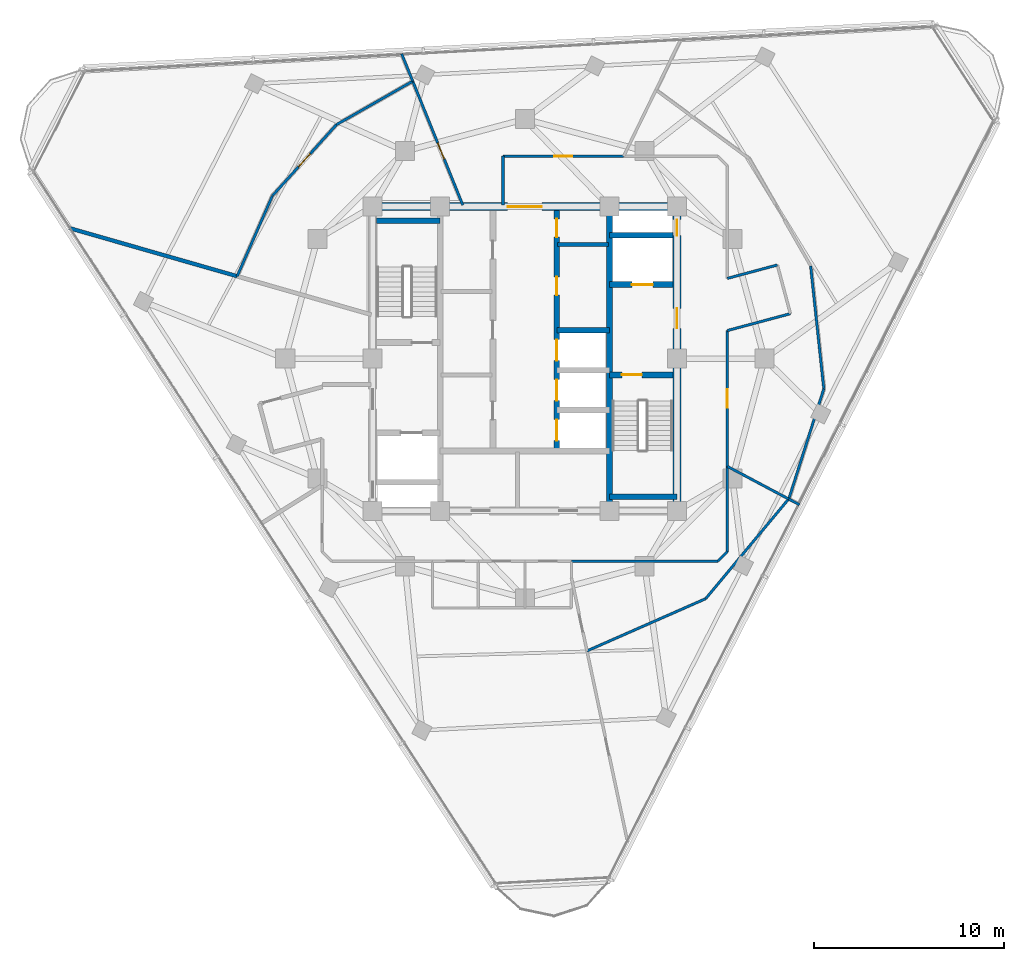
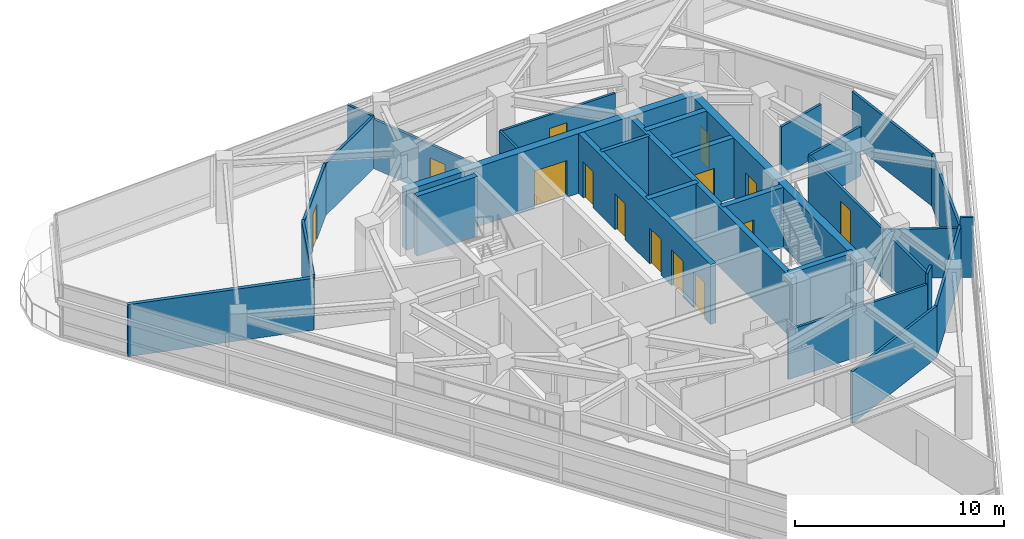
# One storey, part 9 of 15: 31 walls, 14 doors, 14 openings.
"""IFC4 building model written with IfcOpenShell, lengths in metres."""

import ifcopenshell
import ifcopenshell.guid

model = None  # the IFC model being written
_history = None  # IfcOwnerHistory: only IFC2X3 demands one
_inside = {}  # id of a spatial element -> (the spatial element, [elements in it])
_under = {}  # id of a project, library or spatial element -> (it, [spatial elements below it])
_declared = {}  # id of a project -> (the project, [libraries it declares])
_typed = {}  # id of a type object -> (the type object, [elements of that type])
_made_of = {}  # id of a material, layer set ... -> (it, [elements and type objects made of it])


def new_model(schema):
    """Start an empty IFC model of exactly this schema.

    Asked for "IFC4X3", IfcOpenShell would pick the latest addendum, in which some entities
    have other attributes; the version numbers below select the first issue.
    IFC2X3 requires an IfcOwnerHistory on every rooted entity: one is made here for all.
    """
    global model, _history
    if schema == "IFC4X3":
        model = ifcopenshell.file(schema_version=(4, 3, 0, 0))
    else:
        model = ifcopenshell.file(schema=schema)
    _inside.clear()
    _under.clear()
    _declared.clear()
    _typed.clear()
    _made_of.clear()
    _history = None
    if model.schema == "IFC2X3":
        org = make("IfcOrganization", Name="unknown")
        user = make(
            "IfcPersonAndOrganization",
            ThePerson=make("IfcPerson", FamilyName="unknown"),
            TheOrganization=org,
        )
        app = make(
            "IfcApplication",
            ApplicationDeveloper=org,
            Version="unknown",
            ApplicationFullName="unknown",
            ApplicationIdentifier="unknown",
        )
        _history = make(
            "IfcOwnerHistory",
            OwningUser=user,
            OwningApplication=app,
            ChangeAction="ADDED",
            CreationDate=0,
        )
    return model


def make(cls, **values):
    """One entity of the class cls with the attributes given. An attribute that is None is left unset."""
    return model.create_entity(
        cls, **{name: value for name, value in values.items() if value is not None}
    )


def rooted(cls, **values):
    """An entity with a GlobalId (a new one), such as an element, a storey or a relation."""
    return make(cls, GlobalId=ifcopenshell.guid.new(), OwnerHistory=_history, **values)


def si_unit(unit_type, name, prefix=None):
    """IfcSIUnit, for example si_unit("LENGTHUNIT", "METRE", prefix="MILLI")."""
    return make("IfcSIUnit", UnitType=unit_type, Prefix=prefix, Name=name)


def assignment(units):
    """IfcUnitAssignment: the units of a project."""
    return None if units is None else make("IfcUnitAssignment", Units=units)


def point(xyz):
    """IfcCartesianPoint."""
    return None if xyz is None else make("IfcCartesianPoint", Coordinates=xyz)


def direction(xyz):
    """IfcDirection."""
    return None if xyz is None else make("IfcDirection", DirectionRatios=xyz)


def frame(location, z_axis=None, x_axis=None):
    """IfcAxis2Placement3D, a coordinate frame: its origin and axes. An axis left out is left unset."""
    return make(
        "IfcAxis2Placement3D",
        Location=point(location),
        Axis=direction(z_axis),
        RefDirection=direction(x_axis),
    )


def frame_2d(location, x_axis=None):
    """IfcAxis2Placement2D, a coordinate frame in the plane: its origin and x axis."""
    return make(
        "IfcAxis2Placement2D", Location=point(location), RefDirection=direction(x_axis)
    )


def origin():
    """The frame at (0, 0, 0) with its axes left unset."""
    return frame((0.0, 0.0, 0.0))


def place(relative_to, where):
    """IfcLocalPlacement: puts the frame where relative to a parent placement (None: the world)."""
    return make(
        "IfcLocalPlacement", PlacementRelTo=relative_to, RelativePlacement=where
    )


def context(
    kind, dimensions, precision=None, world=None, true_north=None, identifier=None
):
    """IfcGeometricRepresentationContext, for example the 3D "Model" context."""
    return make(
        "IfcGeometricRepresentationContext",
        ContextIdentifier=identifier,
        ContextType=kind,
        CoordinateSpaceDimension=dimensions,
        Precision=precision,
        WorldCoordinateSystem=world,
        TrueNorth=true_north,
    )


def subcontext(parent, identifier, kind, view, scale=None):
    """IfcGeometricRepresentationSubContext, for example "Body" below "Model"."""
    return make(
        "IfcGeometricRepresentationSubContext",
        ContextIdentifier=identifier,
        ContextType=kind,
        ParentContext=parent,
        TargetScale=scale,
        TargetView=view,
    )


def project(units=None, contexts=None):
    """IfcProject with its units and contexts."""
    return rooted(
        "IfcProject",
        Name="project",
        RepresentationContexts=contexts,
        UnitsInContext=assignment(units),
    )


def spatial(cls, under=None, at=None, **own):
    """A site, building, storey or space (cls), placed at a placement, below another one or the project."""
    s = rooted(cls, ObjectPlacement=at, **own)
    if under is not None:
        _under.setdefault(under.id(), (under, []))[1].append(s)
    return s


def profile(cls, at=None, kind="AREA", **sizes):
    """A parametric profile (cls). Its sizes go by their IFC names, for example OverallWidth=200.0."""
    return make(cls, ProfileType=kind, Position=at, **sizes)


def rectangle(**sizes):
    """IfcRectangleProfileDef."""
    return profile("IfcRectangleProfileDef", **sizes)


def extrude(swept, where, along, depth):
    """IfcExtrudedAreaSolid: the profile swept, set in the frame where, extruded along a direction by depth."""
    return make(
        "IfcExtrudedAreaSolid",
        SweptArea=swept,
        Position=where,
        ExtrudedDirection=direction(along),
        Depth=depth,
    )


def shape(context_of_items, identifier, shape_type, items):
    """IfcShapeRepresentation: the items that make up one representation, for example the "Body"."""
    return make(
        "IfcShapeRepresentation",
        ContextOfItems=context_of_items,
        RepresentationIdentifier=identifier,
        RepresentationType=shape_type,
        Items=items,
    )


def material(Name=None, Category=None):
    """IfcMaterial."""
    return make("IfcMaterial", Name=Name, Category=Category)


def layer(
    of_material, thickness, ventilated=None, Name=None, Category=None, Priority=None
):
    """IfcMaterialLayer: one layer of a wall or slab, of a material (None: an air gap)."""
    return make(
        "IfcMaterialLayer",
        Material=of_material,
        LayerThickness=thickness,
        IsVentilated=ventilated,
        Name=Name,
        Category=Category,
        Priority=Priority,
    )


def layer_set(layers, Name=None):
    """IfcMaterialLayerSet."""
    return make("IfcMaterialLayerSet", MaterialLayers=layers, LayerSetName=Name)


def made_of(thing, what):
    """Note that an element or type object is made of a material, layer set ...; save() writes the relation."""
    if what is not None:
        _made_of.setdefault(what.id(), (what, []))[1].append(thing)
    return thing


def type_object(cls, material=None, **own):
    """A type object (cls), such as IfcWallType, which elements share."""
    return made_of(rooted(cls, **own), material)


def element(
    cls,
    number,
    at=None,
    inside=None,
    cuts=None,
    type_object=None,
    material=None,
    context=None,
    identifier="Body",
    shape_type=None,
    held_by="IfcProductDefinitionShape",
    body=None,
    shapes=None,
    **own,
):
    """One element of the class cls, such as IfcWall. Its Tag is "e" and its number.

    at: its placement. inside: the storey or other place that contains it. cuts: it is an
    opening in that element (IfcRelVoidsElement). A single representation is given by context,
    identifier, shape_type and body (its items); several are given by shapes. held_by: the class
    of the entity that holds the representations. save() writes the other relations.
    """
    e = rooted(cls, Tag="e%d" % number, ObjectPlacement=at, **own)
    if body is not None:
        shapes = [shape(context, identifier, shape_type, body)]
    if shapes is not None:
        e.Representation = make(held_by, Representations=shapes)
    if inside is not None:
        _inside.setdefault(inside.id(), (inside, []))[1].append(e)
    if cuts is not None:
        rooted(
            "IfcRelVoidsElement", RelatingBuildingElement=cuts, RelatedOpeningElement=e
        )
    if type_object is not None:
        _typed.setdefault(type_object.id(), (type_object, []))[1].append(e)
    return made_of(e, material)


def fill(opening, filler):
    """IfcRelFillsElement: the door or window that sits in an opening."""
    return rooted(
        "IfcRelFillsElement",
        RelatingOpeningElement=opening,
        RelatedBuildingElement=filler,
    )


def aggregate(whole, parts):
    """IfcRelAggregates: a whole, such as a stair, and the parts it consists of."""
    return rooted("IfcRelAggregates", RelatingObject=whole, RelatedObjects=parts)


def save(model, path):
    """Write the relations noted so far, then the file.

    IfcRelAggregates (storeys below a building ...), IfcRelContainedInSpatialStructure (elements
    in a storey), IfcRelDefinesByType, IfcRelAssociatesMaterial and IfcRelDeclares: one each for
    every whole, place, type object, material and project.
    """
    for whole, parts in _under.values():
        aggregate(whole, parts)
    for where, things in _inside.values():
        rooted(
            "IfcRelContainedInSpatialStructure",
            RelatedElements=things,
            RelatingStructure=where,
        )
    for kind, things in _typed.values():
        rooted("IfcRelDefinesByType", RelatedObjects=things, RelatingType=kind)
    for what, things in _made_of.values():
        rooted("IfcRelAssociatesMaterial", RelatedObjects=things, RelatingMaterial=what)
    for by, libraries in _declared.values():
        rooted("IfcRelDeclares", RelatingContext=by, RelatedDefinitions=libraries)
    model.write(path)


model = new_model("IFC4")

# Units and contexts
model_context = context("Model", 3, precision=1e-05, world=origin(), true_north=direction((0.0, 1.0)))
body_context = subcontext(model_context, "Body", "Model", "MODEL_VIEW")
ifc_project = project(units=[si_unit("LENGTHUNIT", "METRE"), si_unit("AREAUNIT", "SQUARE_METRE"), si_unit("VOLUMEUNIT", "CUBIC_METRE"), si_unit("PLANEANGLEUNIT", "RADIAN"), si_unit("MASSUNIT", "GRAM", prefix="KILO")], contexts=[model_context])

# Site, building, storey
site_placement = place(None, origin())
site = spatial("IfcSite", under=ifc_project, at=site_placement, CompositionType="ELEMENT")
building_placement = place(site_placement, origin())
building = spatial("IfcBuilding", under=site, at=building_placement, Name="Terralouvre Media Tower", CompositionType="ELEMENT")
storey_placement = place(building_placement, frame((0.0, 0.0, 259.60009765625)))
storey = spatial("IfcBuildingStorey", under=building, at=storey_placement, Name="L67", CompositionType="ELEMENT", Elevation=259.60009765625)

# Walls
ifc_material_1 = material(Name="Concrete C50/60", Category="concrete")
ifc_layer_1 = layer(ifc_material_1, 0.300048828125, Name="Core Internal Shaft Wall CW-300")
ifc_layer_set_1 = layer_set([ifc_layer_1], Name="Concrete C50/60")
wall_type_1 = type_object("IfcWallType", Name="Core Internal Shaft Wall CW-300", PredefinedType="SHEAR", material=ifc_layer_set_1)
wall_1_placement = place(storey_placement, frame((4.449951171875, -7.7900390625, 0.0), z_axis=(0.0, 0.0, 1.0), x_axis=(0.0, 1.0, 0.0)))
element("IfcWall", 1, at=wall_1_placement, inside=storey, type_object=wall_type_1, Name="L67 Core Shaft Wall SPE", PredefinedType="SHEAR", context=body_context, shape_type="SweptSolid", body=[
    extrude(rectangle(XDim=15.580078125, YDim=0.300048828125, at=frame_2d((7.7900390625, 0.0))), origin(), (0.0, 0.0, 1.0), 3.5),
])
wall_2_placement = place(storey_placement, frame((-7.7900390625, 7.260009765625, 0.0), z_axis=(0.0, 0.0, 1.0), x_axis=(1.0, 0.0, 0.0)))
element("IfcWall", 2, at=wall_2_placement, inside=storey, type_object=wall_type_1, Name="L67 Core Shaft Wall ST1F", PredefinedType="SHEAR", context=body_context, shape_type="SweptSolid", body=[
    extrude(rectangle(XDim=3.340087890625, YDim=0.300048828125, at=frame_2d((1.669921875, 0.0))), origin(), (0.0, 0.0, 1.0), 3.5),
])

# Wall, opening, door
wall_3_placement = place(storey_placement, frame((4.449951171875, -0.85009765625, 0.0), z_axis=(0.0, 0.0, 1.0), x_axis=(1.0, 0.0, 0.0)))
wall_3 = element("IfcWall", 3, at=wall_3_placement, inside=storey, type_object=wall_type_1, Name="L67 Core Shaft Wall ST2D", PredefinedType="SHEAR", context=body_context, shape_type="SweptSolid", body=[
    extrude(rectangle(XDim=3.340087890625, YDim=0.300048828125, at=frame_2d((1.669921875, 0.0))), origin(), (0.0, 0.0, 1.0), 3.5),
])
opening_1_placement = place(wall_3_placement, frame((0.64990234375, 0.0, 0.0)))
opening_1 = element("IfcOpeningElement", 4, at=opening_1_placement, cuts=wall_3, Name="Opening FD-01-105X215", PredefinedType="OPENING", context=body_context, shape_type="SweptSolid", body=[
    extrude(rectangle(XDim=1.050048828125, YDim=2.14990234375, at=frame_2d((0.52490234375, 1.074951171875))), frame((0.0, 0.159912109375, 0.0), z_axis=(0.0, -1.0, 0.0), x_axis=(1.0, 0.0, 0.0)), (0.0, 0.0, 1.0), 0.320068359375),
])
ifc_material_2 = material(Name="Galvanised steel fire-resisting leaf", Category="steel")
door_type_1 = type_object("IfcDoorType", Name="Stair and Firefighting Lobby Fire Door FD-01 (1050x2150)", OperationType="NOTDEFINED", PredefinedType="DOOR", material=ifc_material_2)
door_1_placement = place(opening_1_placement, origin())
door_1 = element("IfcDoor", 5, at=door_1_placement, inside=storey, type_object=door_type_1, Name="L67 ST-02 Exit Stair Door", OperationType="SINGLE_SWING_RIGHT", OverallHeight=2.14990234375, OverallWidth=1.050048828125, PredefinedType="DOOR", context=body_context, shape_type="SweptSolid", body=[
    extrude(rectangle(XDim=1.050048828125, YDim=2.14990234375, at=frame_2d((0.52490234375, 1.074951171875))), frame((0.0, 0.02490234375, 0.0), z_axis=(0.0, -1.0, 0.0), x_axis=(1.0, 0.0, 0.0)), (0.0, 0.0, 1.0), 0.050048828125),
])
fill(opening_1, door_1)

# Wall
wall_4_placement = place(storey_placement, frame((4.449951171875, -7.260009765625, 0.0), z_axis=(0.0, 0.0, 1.0), x_axis=(1.0, 0.0, 0.0)))
element("IfcWall", 6, at=wall_4_placement, inside=storey, type_object=wall_type_1, Name="L67 Core Shaft Wall ST2F", PredefinedType="SHEAR", context=body_context, shape_type="SweptSolid", body=[
    extrude(rectangle(XDim=3.550048828125, YDim=0.300048828125, at=frame_2d((1.77490234375, 0.0))), origin(), (0.0, 0.0, 1.0), 3.5),
])

# Wall, opening, door
wall_5_placement = place(storey_placement, frame((4.449951171875, 3.89990234375, 0.0), z_axis=(0.0, 0.0, 1.0), x_axis=(1.0, 0.0, 0.0)))
wall_5 = element("IfcWall", 7, at=wall_5_placement, inside=storey, type_object=wall_type_1, Name="L67 Core Shaft Wall FF2S", PredefinedType="SHEAR", context=body_context, shape_type="SweptSolid", body=[
    extrude(rectangle(XDim=3.340087890625, YDim=0.300048828125, at=frame_2d((1.669921875, 0.0))), origin(), (0.0, 0.0, 1.0), 3.5),
])
opening_2_placement = place(wall_5_placement, frame((1.179931640625, 0.0, 0.0)))
opening_2 = element("IfcOpeningElement", 8, at=opening_2_placement, cuts=wall_5, Name="Opening LD-FF", PredefinedType="OPENING", context=body_context, shape_type="SweptSolid", body=[
    extrude(rectangle(XDim=1.10009765625, YDim=2.10009765625, at=frame_2d((0.550048828125, 1.050048828125))), frame((0.0, 0.159912109375, 0.0), z_axis=(0.0, -1.0, 0.0), x_axis=(1.0, 0.0, 0.0)), (0.0, 0.0, 1.0), 0.320068359375),
])
ifc_material_3 = material(Name="Stainless steel 316 handrail and balustrade", Category="steel")
door_type_2 = type_object("IfcDoorType", Name="Firefighting Lift Sliding Landing Door LD-FF", OperationType="SLIDING_TO_LEFT", PredefinedType="DOOR", material=ifc_material_3)
door_2_placement = place(opening_2_placement, origin())
door_2 = element("IfcDoor", 9, at=door_2_placement, inside=storey, type_object=door_type_2, Name="L67 Firefighting Lift FFL-02 Landing Door", OperationType="SLIDING_TO_LEFT", OverallHeight=2.10009765625, OverallWidth=1.10009765625, PredefinedType="DOOR", context=body_context, shape_type="SweptSolid", body=[
    extrude(rectangle(XDim=1.10009765625, YDim=2.10009765625, at=frame_2d((0.550048828125, 1.050048828125))), frame((0.0, 0.02490234375, 0.0), z_axis=(0.0, -1.0, 0.0), x_axis=(1.0, 0.0, 0.0)), (0.0, 0.0, 1.0), 0.050048828125),
])
fill(opening_2, door_2)

# Wall
wall_6_placement = place(storey_placement, frame((4.449951171875, 6.5, 0.0), z_axis=(0.0, 0.0, 1.0), x_axis=(1.0, 0.0, 0.0)))
element("IfcWall", 10, at=wall_6_placement, inside=storey, type_object=wall_type_1, Name="L67 Core Shaft Wall FF2N", PredefinedType="SHEAR", context=body_context, shape_type="SweptSolid", body=[
    extrude(rectangle(XDim=3.340087890625, YDim=0.300048828125, at=frame_2d((1.669921875, 0.0))), origin(), (0.0, 0.0, 1.0), 3.5),
])

# Wall, openings, doors
wall_7_placement = place(storey_placement, frame((1.679931640625, -4.85009765625, 0.0), z_axis=(0.0, 0.0, 1.0), x_axis=(0.0, 1.0, 0.0)))
wall_7 = element("IfcWall", 11, at=wall_7_placement, inside=storey, type_object=wall_type_1, Name="L67 Core Shaft Wall LBE", PredefinedType="SHEAR", context=body_context, shape_type="SweptSolid", body=[
    extrude(rectangle(XDim=12.64013671875, YDim=0.300048828125, at=frame_2d((6.320068359375, 0.0))), origin(), (0.0, 0.0, 1.0), 3.5),
])
opening_3_placement = place(wall_7_placement, frame((0.550048828125, 0.0, 0.0)))
opening_3 = element("IfcOpeningElement", 12, at=opening_3_placement, cuts=wall_7, Name="Opening LD-PL", PredefinedType="OPENING", context=body_context, shape_type="SweptSolid", body=[
    extrude(rectangle(XDim=1.10009765625, YDim=2.10009765625, at=frame_2d((0.550048828125, 1.050048828125))), frame((0.0, 0.159912109375, 0.0), z_axis=(0.0, -1.0, 0.0), x_axis=(1.0, 0.0, 0.0)), (0.0, 0.0, 1.0), 0.320068359375),
])
opening_4_placement = place(wall_7_placement, frame((2.64990234375, 0.0, 0.0)))
opening_4 = element("IfcOpeningElement", 13, at=opening_4_placement, cuts=wall_7, Name="Opening LD-PL", PredefinedType="OPENING", context=body_context, shape_type="SweptSolid", body=[
    extrude(rectangle(XDim=1.10009765625, YDim=2.10009765625, at=frame_2d((0.550048828125, 1.050048828125))), frame((0.0, 0.159912109375, 0.0), z_axis=(0.0, -1.0, 0.0), x_axis=(1.0, 0.0, 0.0)), (0.0, 0.0, 1.0), 0.320068359375),
])
opening_5_placement = place(wall_7_placement, frame((4.75, 0.0, 0.0)))
opening_5 = element("IfcOpeningElement", 14, at=opening_5_placement, cuts=wall_7, Name="Opening LD-PL", PredefinedType="OPENING", context=body_context, shape_type="SweptSolid", body=[
    extrude(rectangle(XDim=1.10009765625, YDim=2.10009765625, at=frame_2d((0.550048828125, 1.050048828125))), frame((0.0, 0.159912109375, 0.0), z_axis=(0.0, -1.0, 0.0), x_axis=(1.0, 0.0, 0.0)), (0.0, 0.0, 1.0), 0.320068359375),
])
opening_6_placement = place(wall_7_placement, frame((8.199951171875, 0.0, 0.0)))
opening_6 = element("IfcOpeningElement", 15, at=opening_6_placement, cuts=wall_7, Name="Opening FD-02-95X210", PredefinedType="OPENING", context=body_context, shape_type="SweptSolid", body=[
    extrude(rectangle(XDim=0.949951171875, YDim=2.10009765625, at=frame_2d((0.47509765625, 1.050048828125))), frame((0.0, 0.159912109375, 0.0), z_axis=(0.0, -1.0, 0.0), x_axis=(1.0, 0.0, 0.0)), (0.0, 0.0, 1.0), 0.320068359375),
])
opening_7_placement = place(wall_7_placement, frame((11.25, 0.0, 0.0)))
opening_7 = element("IfcOpeningElement", 16, at=opening_7_placement, cuts=wall_7, Name="Opening SD-02", PredefinedType="OPENING", context=body_context, shape_type="SweptSolid", body=[
    extrude(rectangle(XDim=0.949951171875, YDim=2.10009765625, at=frame_2d((0.47509765625, 1.050048828125))), frame((0.0, 0.159912109375, 0.0), z_axis=(0.0, -1.0, 0.0), x_axis=(1.0, 0.0, 0.0)), (0.0, 0.0, 1.0), 0.320068359375),
])
ifc_material_4 = material(Name="Galvanised steel fire-resisting leaf", Category="steel")
door_type_3 = type_object("IfcDoorType", Name="Core Service Sliding Fire Door SD-02", OperationType="SLIDING_TO_LEFT", PredefinedType="DOOR", material=ifc_material_4)
door_3_placement = place(opening_7_placement, origin())
door_3 = element("IfcDoor", 17, at=door_3_placement, inside=storey, type_object=door_type_3, Name="L67 Core Hospitality Store Door", OperationType="SLIDING_TO_LEFT", OverallHeight=2.10009765625, OverallWidth=0.949951171875, PredefinedType="DOOR", context=body_context, shape_type="SweptSolid", body=[
    extrude(rectangle(XDim=0.949951171875, YDim=2.10009765625, at=frame_2d((0.47509765625, 1.050048828125))), frame((0.0, 0.02490234375, 0.0), z_axis=(0.0, -1.0, 0.0), x_axis=(1.0, 0.0, 0.0)), (0.0, 0.0, 1.0), 0.050048828125),
])
fill(opening_7, door_3)
ifc_material_5 = material(Name="Stainless steel 316 handrail and balustrade", Category="steel")
door_type_4 = type_object("IfcDoorType", Name="Passenger Lift Sliding Landing Door LD-PL", OperationType="SLIDING_TO_LEFT", PredefinedType="DOOR", material=ifc_material_5)
door_4_placement = place(opening_3_placement, origin())
door_4 = element("IfcDoor", 18, at=door_4_placement, inside=storey, type_object=door_type_4, Name="L67 High-Rise Lift PL-H1 Landing Door", OperationType="SLIDING_TO_LEFT", OverallHeight=2.10009765625, OverallWidth=1.10009765625, PredefinedType="DOOR", context=body_context, shape_type="SweptSolid", body=[
    extrude(rectangle(XDim=1.10009765625, YDim=2.10009765625, at=frame_2d((0.550048828125, 1.050048828125))), frame((0.0, 0.02490234375, 0.0), z_axis=(0.0, -1.0, 0.0), x_axis=(1.0, 0.0, 0.0)), (0.0, 0.0, 1.0), 0.050048828125),
])
fill(opening_3, door_4)
door_5_placement = place(opening_4_placement, origin())
door_5 = element("IfcDoor", 19, at=door_5_placement, inside=storey, type_object=door_type_4, Name="L67 High-Rise Lift PL-H2 Landing Door", OperationType="SLIDING_TO_LEFT", OverallHeight=2.10009765625, OverallWidth=1.10009765625, PredefinedType="DOOR", context=body_context, shape_type="SweptSolid", body=[
    extrude(rectangle(XDim=1.10009765625, YDim=2.10009765625, at=frame_2d((0.550048828125, 1.050048828125))), frame((0.0, 0.02490234375, 0.0), z_axis=(0.0, -1.0, 0.0), x_axis=(1.0, 0.0, 0.0)), (0.0, 0.0, 1.0), 0.050048828125),
])
fill(opening_4, door_5)
door_6_placement = place(opening_5_placement, origin())
door_6 = element("IfcDoor", 20, at=door_6_placement, inside=storey, type_object=door_type_4, Name="L67 High-Rise Lift PL-H3 Landing Door", OperationType="SLIDING_TO_LEFT", OverallHeight=2.10009765625, OverallWidth=1.10009765625, PredefinedType="DOOR", context=body_context, shape_type="SweptSolid", body=[
    extrude(rectangle(XDim=1.10009765625, YDim=2.10009765625, at=frame_2d((0.550048828125, 1.050048828125))), frame((0.0, 0.02490234375, 0.0), z_axis=(0.0, -1.0, 0.0), x_axis=(1.0, 0.0, 0.0)), (0.0, 0.0, 1.0), 0.050048828125),
])
fill(opening_5, door_6)
ifc_material_6 = material(Name="Galvanised steel fire-resisting leaf", Category="steel")
door_type_5 = type_object("IfcDoorType", Name="Plant and Riser Fire Door FD-02 (950x2100)", OperationType="NOTDEFINED", PredefinedType="DOOR", material=ifc_material_6)
door_7_placement = place(opening_6_placement, origin())
door_7 = element("IfcDoor", 21, at=door_7_placement, inside=storey, type_object=door_type_5, Name="L67 Core Telemetry Plant Door", OperationType="SINGLE_SWING_RIGHT", OverallHeight=2.10009765625, OverallWidth=0.949951171875, PredefinedType="DOOR", context=body_context, shape_type="SweptSolid", body=[
    extrude(rectangle(XDim=0.949951171875, YDim=2.10009765625, at=frame_2d((0.47509765625, 1.050048828125))), frame((0.0, 0.02490234375, 0.0), z_axis=(0.0, -1.0, 0.0), x_axis=(1.0, 0.0, 0.0)), (0.0, 0.0, 1.0), 0.050048828125),
])
fill(opening_6, door_7)

# Wall
wall_8_placement = place(storey_placement, frame((1.679931640625, 1.5, 0.0), z_axis=(0.0, 0.0, 1.0), x_axis=(1.0, 0.0, 0.0)))
element("IfcWall", 22, at=wall_8_placement, inside=storey, type_object=wall_type_1, Name="L67 Core Shaft Wall PLMBOT", PredefinedType="SHEAR", context=body_context, shape_type="SweptSolid", body=[
    extrude(rectangle(XDim=2.77001953125, YDim=0.300048828125, at=frame_2d((1.385009765625, 0.0))), origin(), (0.0, 0.0, 1.0), 3.5),
])

# Wall, openings, doors
ifc_material_7 = material(Name="Concrete C60/75", Category="concrete")
ifc_layer_2 = layer(ifc_material_7, 0.419921875, Name="Core Reinforced Concrete Shear Wall CW-420")
ifc_layer_set_2 = layer_set([ifc_layer_2], Name="Concrete C60/75")
wall_type_2 = type_object("IfcWallType", Name="Core Reinforced Concrete Shear Wall CW-420", PredefinedType="SHEAR", material=ifc_layer_set_2)
wall_9_placement = place(storey_placement, frame((8.0, -8.0, 0.0), z_axis=(0.0, 0.0, 1.0), x_axis=(0.0, 1.0, 0.0)))
wall_9 = element("IfcWall", 23, at=wall_9_placement, inside=storey, type_object=wall_type_2, Name="L67 E Core Shear Wall", PredefinedType="SHEAR", context=body_context, shape_type="SweptSolid", body=[
    extrude(rectangle(XDim=16.0, YDim=0.419921875, at=frame_2d((8.0, 0.0))), origin(), (0.0, 0.0, 1.0), 3.5),
])
opening_8_placement = place(wall_9_placement, frame((9.60009765625, 0.0, 0.0)))
opening_8 = element("IfcOpeningElement", 24, at=opening_8_placement, cuts=wall_9, Name="Opening FD-01-105X215", PredefinedType="OPENING", context=body_context, shape_type="SweptSolid", body=[
    extrude(rectangle(XDim=1.050048828125, YDim=2.14990234375, at=frame_2d((0.52490234375, 1.074951171875))), frame((0.0, 0.219970703125, 0.0), z_axis=(0.0, -1.0, 0.0), x_axis=(1.0, 0.0, 0.0)), (0.0, 0.0, 1.0), 0.43994140625),
])
opening_9_placement = place(wall_9_placement, frame((14.468994140625, 0.0, 0.0)))
opening_9 = element("IfcOpeningElement", 25, at=opening_9_placement, cuts=wall_9, Name="Opening TD-R1", PredefinedType="OPENING", context=body_context, shape_type="SweptSolid", body=[
    extrude(rectangle(XDim=0.85009765625, YDim=2.02001953125, at=frame_2d((0.425048828125, 1.010009765625))), frame((0.0, 0.219970703125, 0.0), z_axis=(0.0, -1.0, 0.0), x_axis=(1.0, 0.0, 0.0)), (0.0, 0.0, 1.0), 0.43994140625),
])
ifc_material_8 = material(Name="Galvanised steel fire-resisting leaf", Category="steel")
door_type_6 = type_object("IfcDoorType", Name="Riser Inspection Access Trapdoor TD-R1", OperationType="NOTDEFINED", PredefinedType="TRAPDOOR", material=ifc_material_8)
door_8_placement = place(opening_9_placement, origin())
door_8 = element("IfcDoor", 26, at=door_8_placement, inside=storey, type_object=door_type_6, Name="L67 East Comms Riser Access Trapdoor", OperationType="SINGLE_SWING_RIGHT", OverallHeight=2.02001953125, OverallWidth=0.85009765625, PredefinedType="TRAPDOOR", context=body_context, shape_type="SweptSolid", body=[
    extrude(rectangle(XDim=0.85009765625, YDim=2.02001953125, at=frame_2d((0.425048828125, 1.010009765625))), frame((0.0, 0.02490234375, 0.0), z_axis=(0.0, -1.0, 0.0), x_axis=(1.0, 0.0, 0.0)), (0.0, 0.0, 1.0), 0.050048828125),
])
fill(opening_9, door_8)
door_9_placement = place(opening_8_placement, origin())
door_9 = element("IfcDoor", 27, at=door_9_placement, inside=storey, type_object=door_type_1, Name="L67 East Firefighting Lobby Entry Door", OperationType="SINGLE_SWING_LEFT", OverallHeight=2.14990234375, OverallWidth=1.050048828125, PredefinedType="DOOR", context=body_context, shape_type="SweptSolid", body=[
    extrude(rectangle(XDim=1.050048828125, YDim=2.14990234375, at=frame_2d((0.52490234375, 1.074951171875))), frame((0.0, 0.02490234375, 0.0), z_axis=(0.0, -1.0, 0.0), x_axis=(1.0, 0.0, 0.0)), (0.0, 0.0, 1.0), 0.050048828125),
])
fill(opening_8, door_9)

# Wall, opening, door
wall_10_placement = place(storey_placement, frame((-8.0, 8.0, 0.0), z_axis=(0.0, 0.0, 1.0), x_axis=(1.0, 0.0, 0.0)))
wall_10 = element("IfcWall", 28, at=wall_10_placement, inside=storey, type_object=wall_type_2, Name="L67 N Core Shear Wall", PredefinedType="SHEAR", context=body_context, shape_type="SweptSolid", body=[
    extrude(rectangle(XDim=16.0, YDim=0.419921875, at=frame_2d((8.0, 0.0))), origin(), (0.0, 0.0, 1.0), 3.5),
])
opening_10_placement = place(wall_10_placement, frame((7.10009765625, 0.0, 0.0)))
opening_10 = element("IfcOpeningElement", 29, at=opening_10_placement, cuts=wall_10, Name="Opening FD-03", PredefinedType="OPENING", context=body_context, shape_type="SweptSolid", body=[
    extrude(rectangle(XDim=1.800048828125, YDim=2.14990234375, at=frame_2d((0.89990234375, 1.074951171875))), frame((0.0, 0.219970703125, 0.0), z_axis=(0.0, -1.0, 0.0), x_axis=(1.0, 0.0, 0.0)), (0.0, 0.0, 1.0), 0.43994140625),
])
ifc_material_9 = material(Name="Galvanised steel fire-resisting leaf", Category="steel")
door_type_7 = type_object("IfcDoorType", Name="Corridor Smoke-Control Double Door FD-03", OperationType="DOUBLE_DOOR_SINGLE_SWING", PredefinedType="DOOR", material=ifc_material_9)
door_10_placement = place(opening_10_placement, origin())
door_10 = element("IfcDoor", 30, at=door_10_placement, inside=storey, type_object=door_type_7, Name="L67 Central Lift Lobby Portal Door", OperationType="DOUBLE_DOOR_SINGLE_SWING", OverallHeight=2.14990234375, OverallWidth=1.800048828125, PredefinedType="DOOR", context=body_context, shape_type="SweptSolid", body=[
    extrude(rectangle(XDim=1.800048828125, YDim=2.14990234375, at=frame_2d((0.89990234375, 1.074951171875))), frame((0.0, 0.02490234375, 0.0), z_axis=(0.0, -1.0, 0.0), x_axis=(1.0, 0.0, 0.0)), (0.0, 0.0, 1.0), 0.050048828125),
])
fill(opening_10, door_10)

# Walls
ifc_material_10 = material(Name="Fire-rated gypsum board drywall partition")
ifc_layer_3 = layer(ifc_material_10, 0.199951171875, Name="Fire-Rated Shaft and Lobby Partition FW-200")
ifc_layer_set_3 = layer_set([ifc_layer_3], Name="Fire-rated gypsum board drywall partition")
wall_type_3 = type_object("IfcWallType", Name="Fire-Rated Shaft and Lobby Partition FW-200", PredefinedType="SOLIDWALL", material=ifc_layer_set_3)
wall_11_placement = place(storey_placement, frame((1.719970703125, 6.010009765625, 0.0), z_axis=(0.0, 0.0, 1.0), x_axis=(1.0, 0.0, 0.0)))
element("IfcWall", 31, at=wall_11_placement, inside=storey, type_object=wall_type_3, Name="L67 Core East Sub-Partition 1", PredefinedType="SOLIDWALL", context=body_context, shape_type="SweptSolid", body=[
    extrude(rectangle(XDim=2.679931640625, YDim=0.199951171875, at=frame_2d((1.33984375, 0.0))), origin(), (0.0, 0.0, 1.0), 3.5),
])
wall_12_placement = place(storey_placement, frame((-15.12890625, 4.337890625, 0.0), z_axis=(0.0, 0.0, 1.0), x_axis=(-0.96123865256, 0.275717704953, 0.0)))
element("IfcWall", 32, at=wall_12_placement, inside=storey, type_object=wall_type_3, Name="L67 Interior Partition 026", PredefinedType="SOLIDWALL", context=body_context, shape_type="SweptSolid", body=[
    extrude(rectangle(XDim=9.187744140625, YDim=0.199951171875, at=frame_2d((4.59375, 0.0))), origin(), (0.0, 0.0, 1.0), 3.034912109375),
])

# Wall, opening, door
ifc_material_11 = material(Name="Fire-rated gypsum board drywall partition")
ifc_layer_4 = layer(ifc_material_11, 0.135009765625, Name="Newsroom Acoustic Partition PT-135")
ifc_layer_set_4 = layer_set([ifc_layer_4], Name="Fire-rated gypsum board drywall partition")
wall_type_4 = type_object("IfcWallType", Name="Newsroom Acoustic Partition PT-135", PredefinedType="PARTITIONING", material=ifc_layer_set_4)
wall_13_placement = place(storey_placement, frame((10.64990234375, -5.6630859375, 0.0), z_axis=(0.0, 0.0, 1.0), x_axis=(0.0, 1.0, 0.0)))
wall_13 = element("IfcWall", 33, at=wall_13_placement, inside=storey, type_object=wall_type_4, Name="L67 Interior Partition 006", PredefinedType="PARTITIONING", context=body_context, shape_type="SweptSolid", body=[
    extrude(rectangle(XDim=7.14501953125, YDim=0.135009765625, at=frame_2d((3.572509765625, 0.0))), origin(), (0.0, 0.0, 1.0), 2.885009765625),
])
opening_11_placement = place(wall_13_placement, frame((3.097412109375, 0.0, 0.0)))
opening_11 = element("IfcOpeningElement", 34, at=opening_11_placement, cuts=wall_13, Name="Opening ID-02-95X210", PredefinedType="OPENING", context=body_context, shape_type="SweptSolid", body=[
    extrude(rectangle(XDim=0.949951171875, YDim=2.10009765625, at=frame_2d((0.47509765625, 1.050048828125))), frame((0.0, 0.077392578125, 0.0), z_axis=(0.0, -1.0, 0.0), x_axis=(1.0, 0.0, 0.0)), (0.0, 0.0, 1.0), 0.155029296875),
])
ifc_material_12 = material(Name="Engineered hardwood acoustic timber leaf", Category="wood")
door_type_8 = type_object("IfcDoorType", Name="Office and Meeting Room Door ID-02 (950x2100)", OperationType="NOTDEFINED", PredefinedType="DOOR", material=ifc_material_12)
door_11_placement = place(opening_11_placement, origin())
door_11 = element("IfcDoor", 35, at=door_11_placement, inside=storey, type_object=door_type_8, Name="L67 Wire Copy Workspace 2 Door", OperationType="SINGLE_SWING_LEFT", OverallHeight=2.10009765625, OverallWidth=0.949951171875, PredefinedType="DOOR", context=body_context, shape_type="SweptSolid", body=[
    extrude(rectangle(XDim=0.949951171875, YDim=2.10009765625, at=frame_2d((0.47509765625, 1.050048828125))), frame((0.0, 0.02490234375, 0.0), z_axis=(0.0, -1.0, 0.0), x_axis=(1.0, 0.0, 0.0)), (0.0, 0.0, 1.0), 0.050048828125),
])
fill(opening_11, door_11)

# Walls
wall_14_placement = place(storey_placement, frame((10.64990234375, 1.48193359375, 0.0), z_axis=(0.0, 0.0, 1.0), x_axis=(0.965961397105, 0.2586862565, 0.0)))
element("IfcWall", 36, at=wall_14_placement, inside=storey, type_object=wall_type_4, Name="L67 Interior Partition 007", PredefinedType="PARTITIONING", context=body_context, shape_type="SweptSolid", body=[
    extrude(rectangle(XDim=3.4287109375, YDim=0.135009765625, at=frame_2d((1.71435546875, 0.0))), origin(), (0.0, 0.0, 1.0), 2.885009765625),
])
wall_15_placement = place(storey_placement, frame((13.277099609375, 4.928955078125, 0.0), z_axis=(0.0, 0.0, 1.0), x_axis=(-0.965934830229, -0.258785439601, 0.0)))
element("IfcWall", 37, at=wall_15_placement, inside=storey, type_object=wall_type_4, Name="L67 Interior Partition 009", PredefinedType="PARTITIONING", context=body_context, shape_type="SweptSolid", body=[
    extrude(rectangle(XDim=2.719970703125, YDim=0.135009765625, at=frame_2d((1.35986328125, 0.0))), origin(), (0.0, 0.0, 1.0), 2.885009765625),
])
wall_16_placement = place(storey_placement, frame((2.449951171875, -10.64990234375, 0.0), z_axis=(0.0, 0.0, 1.0), x_axis=(1.0, 0.0, 0.0)))
element("IfcWall", 38, at=wall_16_placement, inside=storey, type_object=wall_type_4, Name="L67 Interior Partition 019", PredefinedType="PARTITIONING", context=body_context, shape_type="SweptSolid", body=[
    extrude(rectangle(XDim=7.699951171875, YDim=0.135009765625, at=frame_2d((3.85009765625, 0.0))), origin(), (0.0, 0.0, 1.0), 2.885009765625),
])
wall_17_placement = place(storey_placement, frame((10.14990234375, -10.64990234375, 0.0), z_axis=(0.0, 0.0, 1.0), x_axis=(0.707106781187, 0.707106781187, 0.0)))
element("IfcWall", 39, at=wall_17_placement, inside=storey, type_object=wall_type_4, Name="L67 Interior Partition 020", PredefinedType="PARTITIONING", context=body_context, shape_type="SweptSolid", body=[
    extrude(rectangle(XDim=0.70703125, YDim=0.135009765625, at=frame_2d((0.353515625, 0.0))), origin(), (0.0, 0.0, 1.0), 3.5),
])
wall_18_placement = place(storey_placement, frame((10.64990234375, -10.14990234375, 0.0), z_axis=(0.0, 0.0, 1.0), x_axis=(0.0, 1.0, 0.0)))
element("IfcWall", 40, at=wall_18_placement, inside=storey, type_object=wall_type_4, Name="L67 Interior Partition 021", PredefinedType="PARTITIONING", context=body_context, shape_type="SweptSolid", body=[
    extrude(rectangle(XDim=4.48681640625, YDim=0.135009765625, at=frame_2d((2.243408203125, 0.0))), origin(), (0.0, 0.0, 1.0), 2.885009765625),
])

# Wall, opening, door
wall_19_placement = place(storey_placement, frame((5.194091796875, 10.64990234375, 0.0), z_axis=(0.0, 0.0, 1.0), x_axis=(-1.0, 0.0, 0.0)))
wall_19 = element("IfcWall", 41, at=wall_19_placement, inside=storey, type_object=wall_type_4, Name="L67 Interior Partition 022", PredefinedType="PARTITIONING", context=body_context, shape_type="SweptSolid", body=[
    extrude(rectangle(XDim=6.343994140625, YDim=0.135009765625, at=frame_2d((3.171875, 0.0))), origin(), (0.0, 0.0, 1.0), 2.885009765625),
])
opening_12_placement = place(wall_19_placement, frame((2.697021484375, 0.0, 0.0)))
opening_12 = element("IfcOpeningElement", 42, at=opening_12_placement, cuts=wall_19, Name="Opening ID-02-95X210", PredefinedType="OPENING", context=body_context, shape_type="SweptSolid", body=[
    extrude(rectangle(XDim=0.949951171875, YDim=2.10009765625, at=frame_2d((0.47509765625, 1.050048828125))), frame((0.0, 0.077392578125, 0.0), z_axis=(0.0, -1.0, 0.0), x_axis=(1.0, 0.0, 0.0)), (0.0, 0.0, 1.0), 0.155029296875),
])
door_12_placement = place(opening_12_placement, origin())
door_12 = element("IfcDoor", 43, at=door_12_placement, inside=storey, type_object=door_type_8, Name="L67 Assignment Editors Workspace 7 Door", OperationType="SINGLE_SWING_RIGHT", OverallHeight=2.10009765625, OverallWidth=0.949951171875, PredefinedType="DOOR", context=body_context, shape_type="SweptSolid", body=[
    extrude(rectangle(XDim=0.949951171875, YDim=2.10009765625, at=frame_2d((0.47509765625, 1.050048828125))), frame((0.0, 0.02490234375, 0.0), z_axis=(0.0, -1.0, 0.0), x_axis=(1.0, 0.0, 0.0)), (0.0, 0.0, 1.0), 0.050048828125),
])
fill(opening_12, door_12)

# Walls
wall_20_placement = place(storey_placement, frame((-1.14990234375, 10.64990234375, 0.0), z_axis=(0.0, 0.0, 1.0), x_axis=(0.0, -1.0, 0.0)))
element("IfcWall", 44, at=wall_20_placement, inside=storey, type_object=wall_type_4, Name="L67 Interior Partition 023", PredefinedType="PARTITIONING", context=body_context, shape_type="SweptSolid", body=[
    extrude(rectangle(XDim=2.56982421875, YDim=0.135009765625, at=frame_2d((1.284912109375, 0.0))), origin(), (0.0, 0.0, 1.0), 2.885009765625),
])
wall_21_placement = place(storey_placement, frame((10.64990234375, -5.6630859375, 0.0), z_axis=(0.0, 0.0, 1.0), x_axis=(0.882982204984, -0.469406461057, 0.0)))
element("IfcWall", 45, at=wall_21_placement, inside=storey, type_object=wall_type_4, Name="L67 Interior Partition 027", PredefinedType="PARTITIONING", context=body_context, shape_type="SweptSolid", body=[
    extrude(rectangle(XDim=3.64697265625, YDim=0.135009765625, at=frame_2d((1.823486328125, 0.0))), origin(), (0.0, 0.0, 1.0), 2.885009765625),
])
wall_22_placement = place(storey_placement, frame((13.886962890625, -7.35400390625, 0.0), z_axis=(0.0, 0.0, 1.0), x_axis=(0.302867480059, 0.953032680197, 0.0)))
element("IfcWall", 46, at=wall_22_placement, inside=storey, type_object=wall_type_4, Name="L67 Interior Partition 028", PredefinedType="PARTITIONING", context=body_context, shape_type="SweptSolid", body=[
    extrude(rectangle(XDim=6.055419921875, YDim=0.135009765625, at=frame_2d((3.02783203125, 0.0))), origin(), (0.0, 0.0, 1.0), 3.034912109375),
])
wall_23_placement = place(storey_placement, frame((15.720947265625, -1.5830078125, 0.0), z_axis=(0.0, 0.0, 1.0), x_axis=(-0.106709447524, 0.994290246261, 0.0)))
element("IfcWall", 47, at=wall_23_placement, inside=storey, type_object=wall_type_4, Name="L67 Interior Partition 029", PredefinedType="PARTITIONING", context=body_context, shape_type="SweptSolid", body=[
    extrude(rectangle(XDim=6.502197265625, YDim=0.135009765625, at=frame_2d((3.2509765625, 0.0))), origin(), (0.0, 0.0, 1.0), 3.034912109375),
])
wall_24_placement = place(storey_placement, frame((13.8701171875, -7.375, 0.0), z_axis=(0.0, 0.0, 1.0), x_axis=(-0.63949044568, -0.768799043888, 0.0)))
element("IfcWall", 48, at=wall_24_placement, inside=storey, type_object=wall_type_4, Name="L67 Interior Partition 043", PredefinedType="PARTITIONING", context=body_context, shape_type="SweptSolid", body=[
    extrude(rectangle(XDim=6.819580078125, YDim=0.135009765625, at=frame_2d((3.40966796875, 0.0))), origin(), (0.0, 0.0, 1.0), 3.034912109375),
])
wall_25_placement = place(storey_placement, frame((9.509033203125, -12.617919921875, 0.0), z_axis=(0.0, 0.0, 1.0), x_axis=(-0.915305003879, -0.402761405641, 0.0)))
element("IfcWall", 49, at=wall_25_placement, inside=storey, type_object=wall_type_4, Name="L67 Interior Partition 044", PredefinedType="PARTITIONING", context=body_context, shape_type="SweptSolid", body=[
    extrude(rectangle(XDim=6.820556640625, YDim=0.135009765625, at=frame_2d((3.41015625, 0.0))), origin(), (0.0, 0.0, 1.0), 3.034912109375),
])
wall_26_placement = place(storey_placement, frame((14.44091796875, -7.677978515625, 0.0), z_axis=(0.0, 0.0, 1.0), x_axis=(-0.883423592085, 0.468575241501, 0.0)))
element("IfcWall", 50, at=wall_26_placement, inside=storey, type_object=wall_type_4, Name="L67 Interior Partition 045", PredefinedType="PARTITIONING", context=body_context, shape_type="SweptSolid", body=[
    extrude(rectangle(XDim=0.63623046875, YDim=0.135009765625, at=frame_2d((0.318115234375, 0.0))), origin(), (0.0, 0.0, 1.0), 3.5),
])

# Wall, opening, door
wall_27_placement = place(storey_placement, frame((-5.89599609375, 14.593017578125, 0.0), z_axis=(0.0, 0.0, 1.0), x_axis=(0.374630268076, -0.927174289032, 0.0)))
wall_27 = element("IfcWall", 51, at=wall_27_placement, inside=storey, type_object=wall_type_4, Name="L67 Interior Partition 047", PredefinedType="PARTITIONING", context=body_context, shape_type="SweptSolid", body=[
    extrude(rectangle(XDim=7.0244140625, YDim=0.135009765625, at=frame_2d((3.51220703125, 0.0))), origin(), (0.0, 0.0, 1.0), 2.885009765625),
])
opening_13_placement = place(wall_27_placement, frame((3.5, 0.0, 0.0)))
opening_13 = element("IfcOpeningElement", 52, at=opening_13_placement, cuts=wall_27, Name="Opening ID-03-92X210", PredefinedType="OPENING", context=body_context, shape_type="SweptSolid", body=[
    extrude(rectangle(XDim=0.919921875, YDim=2.10009765625, at=frame_2d((0.4599609375, 1.050048828125))), frame((0.0, 0.077392578125, 0.0), z_axis=(0.0, -1.0, 0.0), x_axis=(1.0, 0.0, 0.0)), (0.0, 0.0, 1.0), 0.155029296875),
])
ifc_material_13 = material(Name="Engineered hardwood acoustic timber leaf", Category="wood")
door_type_9 = type_object("IfcDoorType", Name="Accessible Restroom and Suite Door ID-03 (920x2100)", OperationType="NOTDEFINED", PredefinedType="DOOR", material=ifc_material_13)
door_13_placement = place(opening_13_placement, origin())
door_13 = element("IfcDoor", 53, at=door_13_placement, inside=storey, type_object=door_type_9, Name="L67 Foreign Copy Desk Office 8 Door", OperationType="SINGLE_SWING_RIGHT", OverallHeight=2.10009765625, OverallWidth=0.919921875, PredefinedType="DOOR", context=body_context, shape_type="SweptSolid", body=[
    extrude(rectangle(XDim=0.919921875, YDim=2.10009765625, at=frame_2d((0.4599609375, 1.050048828125))), frame((0.0, 0.02490234375, 0.0), z_axis=(0.0, -1.0, 0.0), x_axis=(1.0, 0.0, 0.0)), (0.0, 0.0, 1.0), 0.050048828125),
])
fill(opening_13, door_13)

# Walls
wall_28_placement = place(storey_placement, frame((-6.47900390625, 16.035400390625, 0.0), z_axis=(0.0, 0.0, 1.0), x_axis=(0.374743256905, -0.927128627217, 0.0)))
element("IfcWall", 54, at=wall_28_placement, inside=storey, type_object=wall_type_4, Name="L67 Interior Partition 048", PredefinedType="PARTITIONING", context=body_context, shape_type="SweptSolid", body=[
    extrude(rectangle(XDim=1.5556640625, YDim=0.135009765625, at=frame_2d((0.77783203125, 0.0))), origin(), (0.0, 0.0, 1.0), 3.034912109375),
])
wall_29_placement = place(storey_placement, frame((-5.89599609375, 14.593017578125, 0.0), z_axis=(0.0, 0.0, 1.0), x_axis=(-0.868954887981, -0.494891303877, 0.0)))
element("IfcWall", 55, at=wall_29_placement, inside=storey, type_object=wall_type_4, Name="L67 Interior Partition 049", PredefinedType="PARTITIONING", context=body_context, shape_type="SweptSolid", body=[
    extrude(rectangle(XDim=4.616943359375, YDim=0.135009765625, at=frame_2d((2.30859375, 0.0))), origin(), (0.0, 0.0, 1.0), 3.034912109375),
])

# Wall, opening, door
wall_30_placement = place(storey_placement, frame((-9.907958984375, 12.30810546875, 0.0), z_axis=(0.0, 0.0, 1.0), x_axis=(-0.669055831343, -0.743212146393, 0.0)))
wall_30 = element("IfcWall", 56, at=wall_30_placement, inside=storey, type_object=wall_type_4, Name="L67 Interior Partition 050", PredefinedType="PARTITIONING", context=body_context, shape_type="SweptSolid", body=[
    extrude(rectangle(XDim=5.033935546875, YDim=0.135009765625, at=frame_2d((2.51708984375, 0.0))), origin(), (0.0, 0.0, 1.0), 3.034912109375),
])
opening_14_placement = place(wall_30_placement, frame((2.056884765625, 0.0, 0.0)))
opening_14 = element("IfcOpeningElement", 57, at=opening_14_placement, cuts=wall_30, Name="Opening ID-03-92X210", PredefinedType="OPENING", context=body_context, shape_type="SweptSolid", body=[
    extrude(rectangle(XDim=0.919921875, YDim=2.10009765625, at=frame_2d((0.4599609375, 1.050048828125))), frame((0.0, 0.077392578125, 0.0), z_axis=(0.0, -1.0, 0.0), x_axis=(1.0, 0.0, 0.0)), (0.0, 0.0, 1.0), 0.155029296875),
])
door_14_placement = place(opening_14_placement, origin())
door_14 = element("IfcDoor", 58, at=door_14_placement, inside=storey, type_object=door_type_9, Name="L67 Morning Rundown Briefing Room 9 Door", OperationType="SINGLE_SWING_LEFT", OverallHeight=2.10009765625, OverallWidth=0.919921875, PredefinedType="DOOR", context=body_context, shape_type="SweptSolid", body=[
    extrude(rectangle(XDim=0.919921875, YDim=2.10009765625, at=frame_2d((0.4599609375, 1.050048828125))), frame((0.0, 0.02490234375, 0.0), z_axis=(0.0, -1.0, 0.0), x_axis=(1.0, 0.0, 0.0)), (0.0, 0.0, 1.0), 0.050048828125),
])
fill(opening_14, door_14)

# Wall
wall_31_placement = place(storey_placement, frame((-13.27587890625, 8.56689453125, 0.0), z_axis=(0.0, 0.0, 1.0), x_axis=(-0.401334709075, -0.915931466482, 0.0)))
element("IfcWall", 59, at=wall_31_placement, inside=storey, type_object=wall_type_4, Name="L67 Interior Partition 051", PredefinedType="PARTITIONING", context=body_context, shape_type="SweptSolid", body=[
    extrude(rectangle(XDim=4.6171875, YDim=0.135009765625, at=frame_2d((2.30859375, 0.0))), origin(), (0.0, 0.0, 1.0), 3.184814453125),
])

save(model, "model.ifc")
